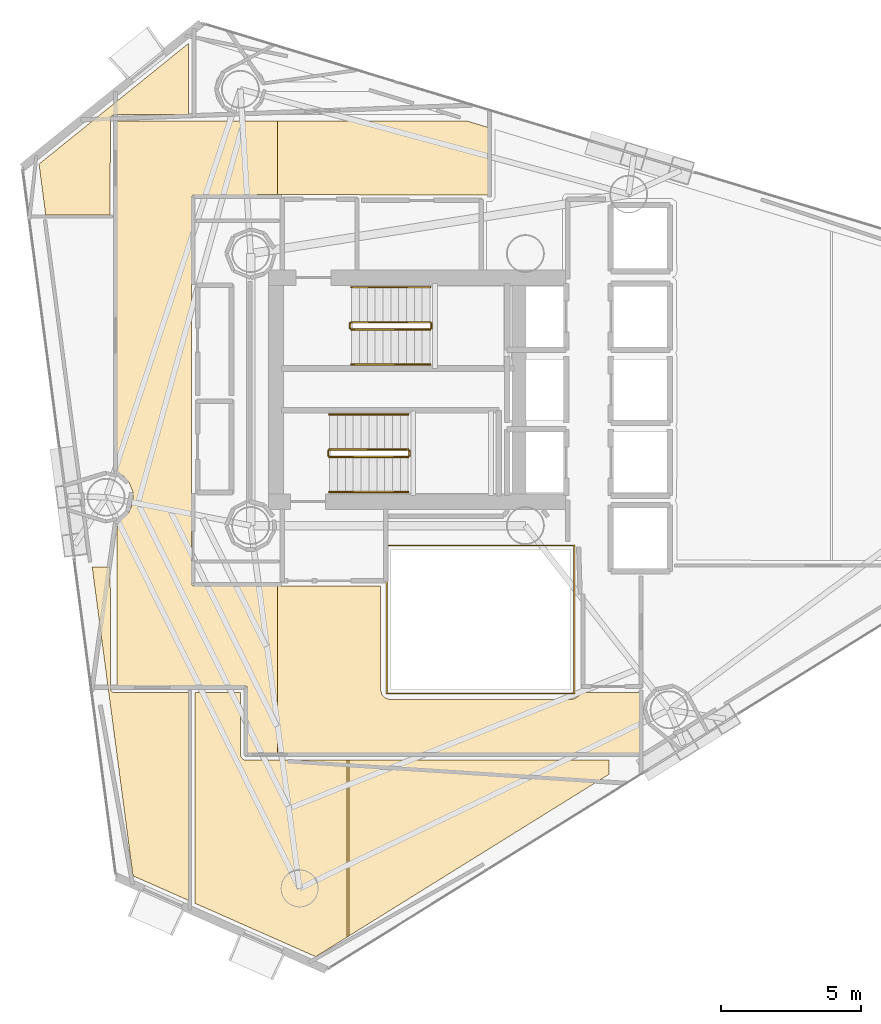
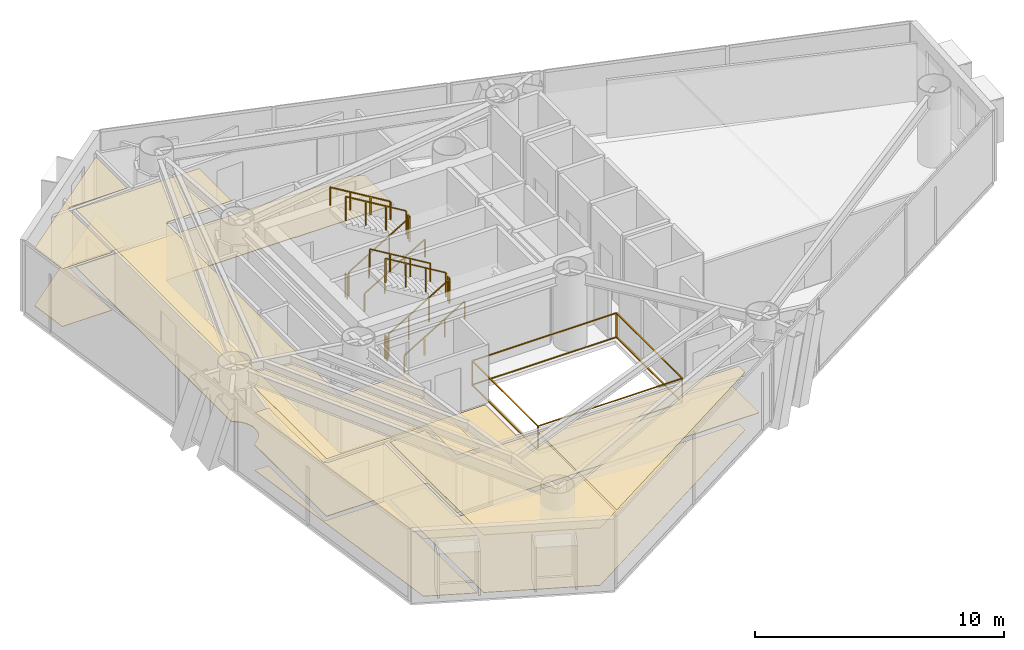
# One storey, part 21 of 22: 13 railings, 9 coverings.
"""IFC4 building model written with IfcOpenShell, lengths in metres."""

from ifc_helpers import new_model, si_unit, direction, frame, origin, origin_2d, place, context, subcontext, project, spatial, polyline, rectangle, outline, extrude, material, layer, layer_set, type_object, element, save


model = new_model("IFC4")

# Units and contexts
model_context = context("Model", 3, precision=1e-05, world=origin(), true_north=direction((0.0, 1.0)))
body_context = subcontext(model_context, "Body", "Model", "MODEL_VIEW")
ifc_project = project(units=[si_unit("LENGTHUNIT", "METRE"), si_unit("AREAUNIT", "SQUARE_METRE"), si_unit("VOLUMEUNIT", "CUBIC_METRE"), si_unit("PLANEANGLEUNIT", "RADIAN"), si_unit("MASSUNIT", "GRAM", prefix="KILO")], contexts=[model_context])

# Site, building, storey
site_placement = place(None, origin())
site = spatial("IfcSite", under=ifc_project, at=site_placement, CompositionType="ELEMENT")
building_placement = place(site_placement, origin())
building = spatial("IfcBuilding", under=site, at=building_placement, Name="Qianvela Tower", CompositionType="ELEMENT")
storey_placement = place(building_placement, frame((0.0, 0.0, 177.199951171875)))
storey = spatial("IfcBuildingStorey", under=building, at=storey_placement, Name="L45", CompositionType="ELEMENT", Elevation=177.199951171875)

# Coverings
ifc_material_1 = material(Name="Perforated Mineral Acoustic Ceiling Tile")
ifc_layer_1 = layer(ifc_material_1, 0.02490234375)
ifc_layer_set_1 = layer_set([ifc_layer_1], Name="Perforated Mineral Acoustic Ceiling Tile")
covering_type_1 = type_object("IfcCoveringType", Name="COV-CEIL-ACOUSTIC-25", PredefinedType="CEILING", material=ifc_layer_set_1)
covering_1_placement = place(storey_placement, frame((0.0, 0.0, 2.81494140625)))
element("IfcCovering", 1, at=covering_1_placement, inside=storey, type_object=covering_type_1, Name="L45 Acoustic Ceiling Bay 1 L45 Floor Corridor", PredefinedType="CEILING", context=body_context, shape_type="SweptSolid", body=[
    extrude(outline(polyline([(24.4033203125, 25.04150390625), (24.40234375, 25.04931640625), (24.400390625, 25.056884765625), (24.397705078125, 25.064208984375), (24.26416015625, 25.386962890625), (24.2607421875, 25.393798828125), (24.256591796875, 25.400634765625), (24.251953125, 25.406982421875), (24.140625, 25.54248046875), (24.135498046875, 25.54833984375), (24.129638671875, 25.5537109375), (23.830078125, 25.799560546875), (23.830078125, 38.27001953125), (29.5517578125, 38.27001953125), (29.5517578125, 35.651123046875), (26.57958984375, 35.639892578125), (26.572021484375, 35.6396484375), (26.564208984375, 35.638427734375), (26.556396484375, 35.636474609375), (26.54931640625, 35.6337890625), (26.5419921875, 35.630615234375), (26.535400390625, 35.62646484375), (26.529052734375, 35.62158203125), (26.523193359375, 35.616455078125), (26.51806640625, 35.610595703125), (26.513427734375, 35.6044921875), (26.509521484375, 35.59765625), (26.506103515625, 35.590576171875), (26.50341796875, 35.583251953125), (26.50146484375, 35.57568359375), (26.50048828125, 35.56787109375), (26.5, 35.56005859375), (26.5, 21.780029296875), (26.50048828125, 21.772216796875), (26.50146484375, 21.764404296875), (26.50341796875, 21.7568359375), (26.506103515625, 21.74951171875), (26.509521484375, 21.7421875), (26.513427734375, 21.735595703125), (26.518310546875, 21.729248046875), (26.5234375, 21.723388671875), (26.529296875, 21.71826171875), (26.53564453125, 21.71337890625), (26.542236328125, 21.70947265625), (26.54931640625, 21.7060546875), (26.556884765625, 21.703369140625), (26.564453125, 21.701416015625), (26.572265625, 21.700439453125), (26.580078125, 21.699951171875), (29.5517578125, 21.699951171875), (29.5517578125, 15.72998046875), (28.47998046875, 15.72998046875), (28.47998046875, 18.050048828125), (28.4794921875, 18.057861328125), (28.478515625, 18.065673828125), (28.4765625, 18.0732421875), (28.473876953125, 18.08056640625), (28.470703125, 18.087646484375), (28.466552734375, 18.094482421875), (28.4619140625, 18.100830078125), (28.45654296875, 18.106689453125), (28.45068359375, 18.11181640625), (28.4443359375, 18.116455078125), (28.437744140625, 18.12060546875), (28.4306640625, 18.123779296875), (28.423095703125, 18.126708984375), (28.41552734375, 18.12841796875), (28.40771484375, 18.129638671875), (28.39990234375, 18.1298828125), (23.830078125, 18.1298828125), (23.830078125, 23.921142578125), (24.244384765625, 24.302978515625), (24.25048828125, 24.30908203125), (24.255859375, 24.31591796875), (24.26025390625, 24.3232421875), (24.26416015625, 24.3310546875), (24.397705078125, 24.65380859375), (24.400390625, 24.6611328125), (24.40234375, 24.668701171875), (24.4033203125, 24.676513671875), (24.40380859375, 24.684326171875), (24.40380859375, 25.03369140625), (24.4033203125, 25.04150390625)])), origin(), (0.0, 0.0, 1.0), 0.025146484375),
])
covering_2_placement = place(storey_placement, frame((0.0, 0.0, 2.81494140625)))
element("IfcCovering", 2, at=covering_2_placement, inside=storey, type_object=covering_type_1, Name="L45 Acoustic Ceiling Debate Lecture Classroom L45-01", PredefinedType="CEILING", context=body_context, shape_type="SweptSolid", body=[
    extrude(outline(polyline([(22.948486328125, 22.3779296875), (23.59033203125, 22.3779296875), (23.608154296875, 17.998779296875), (23.608642578125, 17.99072265625), (23.60986328125, 17.982666015625), (23.612060546875, 17.974853515625), (23.614990234375, 17.967041015625), (23.61865234375, 17.959716796875), (23.622802734375, 17.952880859375), (23.6279296875, 17.946533203125), (23.6337890625, 17.940673828125), (23.639892578125, 17.935302734375), (23.646728515625, 17.930908203125), (23.654052734375, 17.927001953125), (23.7158203125, 17.897705078125), (23.72412109375, 17.894287109375), (23.732421875, 17.891845703125), (23.7412109375, 17.890380859375), (23.75, 17.889892578125), (26.3779296875, 17.889892578125), (26.3779296875, 10.48388671875), (24.4033203125, 11.357666015625), (22.948486328125, 22.3779296875)])), origin(), (0.0, 0.0, 1.0), 0.025146484375),
])
covering_3_placement = place(storey_placement, frame((0.0, 0.0, 2.81494140625)))
element("IfcCovering", 3, at=covering_3_placement, inside=storey, type_object=covering_type_1, Name="L45 Acoustic Ceiling Bay 1 Graduate Seminar Classroom L45-02", PredefinedType="CEILING", context=body_context, shape_type="SweptSolid", body=[
    extrude(outline(polyline([(28.239990234375, 17.889892578125), (28.239990234375, 15.64990234375), (28.240478515625, 15.64208984375), (28.241455078125, 15.634521484375), (28.243408203125, 15.626708984375), (28.24609375, 15.619384765625), (28.24951171875, 15.6123046875), (28.25341796875, 15.605712890625), (28.25830078125, 15.59912109375), (28.322509765625, 15.520751953125), (28.327880859375, 15.514892578125), (28.33349609375, 15.509765625), (28.33984375, 15.5048828125), (28.3466796875, 15.5009765625), (28.353759765625, 15.49755859375), (28.361083984375, 15.4951171875), (28.368896484375, 15.4931640625), (28.37646484375, 15.491943359375), (28.384521484375, 15.491455078125), (32.032958984375, 15.4912109375), (32.032958984375, 9.16650390625), (30.919921875, 8.474365234375), (26.6220703125, 10.3759765625), (26.6220703125, 17.889892578125), (28.239990234375, 17.889892578125)])), origin(), (0.0, 0.0, 1.0), 0.025146484375),
])
covering_4_placement = place(storey_placement, frame((0.0, 0.0, 2.81494140625)))
element("IfcCovering", 4, at=covering_4_placement, inside=storey, type_object=covering_type_1, Name="L45 Acoustic Ceiling Bay 2 Graduate Seminar Classroom L45-02", PredefinedType="CEILING", context=body_context, shape_type="SweptSolid", body=[
    extrude(outline(polyline([(41.3779296875, 15.489990234375), (41.3779296875, 14.97705078125), (32.113037109375, 9.21630859375), (32.113037109375, 15.4912109375), (41.3779296875, 15.489990234375)])), origin(), (0.0, 0.0, 1.0), 0.025146484375),
])
covering_5_placement = place(storey_placement, frame((0.0, 0.0, 2.81494140625)))
element("IfcCovering", 5, at=covering_5_placement, inside=storey, type_object=covering_type_1, Name="L45 Acoustic Ceiling Media Practice Cinema L45-06", PredefinedType="CEILING", context=body_context, shape_type="SweptSolid", body=[
    extrude(outline(polyline([(26.3779296875, 41.04052734375), (26.3779296875, 38.510009765625), (23.75, 38.510009765625), (23.7421875, 38.509521484375), (23.734375, 38.508544921875), (23.726806640625, 38.506591796875), (23.719482421875, 38.50390625), (23.71240234375, 38.50048828125), (23.70556640625, 38.49658203125), (23.631591796875, 38.447021484375), (23.625244140625, 38.4423828125), (23.619384765625, 38.437255859375), (23.6142578125, 38.431396484375), (23.609619140625, 38.425048828125), (23.605712890625, 38.41845703125), (23.602294921875, 38.411376953125), (23.599609375, 38.40380859375), (23.59765625, 38.396240234375), (23.596435546875, 38.388671875), (23.59619140625, 38.380859375), (23.590087890625, 34.922119140625), (21.29248046875, 34.922119140625), (21.05224609375, 36.7421875), (26.3779296875, 41.04052734375)])), origin(), (0.0, 0.0, 1.0), 0.025146484375),
])
ifc_material_2 = material(Name="Engineered Acoustic Oak Timber Flooring", Category="wood")
ifc_layer_2 = layer(ifc_material_2, 0.02001953125)
ifc_layer_set_2 = layer_set([ifc_layer_2], Name="Engineered Acoustic Oak Timber Flooring")
covering_type_2 = type_object("IfcCoveringType", Name="COV-FLOOR-OAK-20", PredefinedType="FLOORING", material=ifc_layer_set_2)
covering_6_placement = place(storey_placement, origin())
element("IfcCovering", 6, at=covering_6_placement, inside=storey, type_object=covering_type_2, Name="L45 Finish Flooring Debate Lecture Classroom L45-01", PredefinedType="FLOORING", context=body_context, shape_type="SweptSolid", body=[
    extrude(outline(polyline([(22.948486328125, 22.3779296875), (23.59033203125, 22.3779296875), (23.608154296875, 17.998779296875), (23.608642578125, 17.99072265625), (23.60986328125, 17.982666015625), (23.612060546875, 17.974853515625), (23.614990234375, 17.967041015625), (23.61865234375, 17.959716796875), (23.622802734375, 17.952880859375), (23.6279296875, 17.946533203125), (23.6337890625, 17.940673828125), (23.639892578125, 17.935302734375), (23.646728515625, 17.930908203125), (23.654052734375, 17.927001953125), (23.7158203125, 17.897705078125), (23.72412109375, 17.894287109375), (23.732421875, 17.891845703125), (23.7412109375, 17.890380859375), (23.75, 17.889892578125), (26.3779296875, 17.889892578125), (26.3779296875, 10.48388671875), (24.4033203125, 11.357666015625), (22.948486328125, 22.3779296875)])), origin(), (0.0, 0.0, 1.0), 0.02001953125),
])
covering_7_placement = place(storey_placement, origin())
element("IfcCovering", 7, at=covering_7_placement, inside=storey, type_object=covering_type_2, Name="L45 Finish Flooring Graduate Seminar Classroom L45-02", PredefinedType="FLOORING", context=body_context, shape_type="SweptSolid", body=[
    extrude(outline(polyline([(26.6220703125, 17.889892578125), (28.239990234375, 17.889892578125), (28.239990234375, 15.64990234375), (28.240478515625, 15.64208984375), (28.241455078125, 15.634521484375), (28.243408203125, 15.626708984375), (28.24609375, 15.619384765625), (28.24951171875, 15.6123046875), (28.25341796875, 15.605712890625), (28.25830078125, 15.59912109375), (28.322509765625, 15.520751953125), (28.327880859375, 15.514892578125), (28.33349609375, 15.509765625), (28.33984375, 15.5048828125), (28.3466796875, 15.5009765625), (28.353759765625, 15.49755859375), (28.361083984375, 15.4951171875), (28.368896484375, 15.4931640625), (28.37646484375, 15.491943359375), (28.384521484375, 15.491455078125), (41.3779296875, 15.489990234375), (41.3779296875, 14.97705078125), (30.919921875, 8.474365234375), (26.6220703125, 10.3759765625), (26.6220703125, 17.889892578125)])), origin(), (0.0, 0.0, 1.0), 0.02001953125),
])
covering_8_placement = place(storey_placement, origin())
element("IfcCovering", 8, at=covering_8_placement, inside=storey, type_object=covering_type_2, Name="L45 Finish Flooring Media Practice Cinema L45-06", PredefinedType="FLOORING", context=body_context, shape_type="SweptSolid", body=[
    extrude(outline(polyline([(26.3779296875, 41.04052734375), (26.3779296875, 38.510009765625), (23.75, 38.510009765625), (23.7421875, 38.509521484375), (23.734375, 38.508544921875), (23.726806640625, 38.506591796875), (23.719482421875, 38.50390625), (23.71240234375, 38.50048828125), (23.70556640625, 38.49658203125), (23.631591796875, 38.447021484375), (23.625244140625, 38.4423828125), (23.619384765625, 38.437255859375), (23.6142578125, 38.431396484375), (23.609619140625, 38.425048828125), (23.605712890625, 38.41845703125), (23.602294921875, 38.411376953125), (23.599609375, 38.40380859375), (23.59765625, 38.396240234375), (23.596435546875, 38.388671875), (23.59619140625, 38.380859375), (23.590087890625, 34.922119140625), (21.29248046875, 34.922119140625), (21.05224609375, 36.7421875), (26.3779296875, 41.04052734375)])), origin(), (0.0, 0.0, 1.0), 0.02001953125),
])
ifc_material_3 = material(Name="Honed Stone Terrazzo Flooring", Category="masonry")
ifc_layer_3 = layer(ifc_material_3, 0.030029296875)
ifc_layer_set_3 = layer_set([ifc_layer_3], Name="Honed Stone Terrazzo Flooring")
covering_type_3 = type_object("IfcCoveringType", Name="COV-FLOOR-TERRAZZO-30", PredefinedType="FLOORING", material=ifc_layer_set_3)
covering_9_placement = place(storey_placement, origin())
element("IfcCovering", 9, at=covering_9_placement, inside=storey, type_object=covering_type_3, Name="L45 Finish Flooring L45 Floor Corridor", PredefinedType="FLOORING", context=body_context, shape_type="SweptSolid", body=[
    extrude(outline(polyline([(24.40380859375, 25.03369140625), (24.4033203125, 25.04150390625), (24.40234375, 25.04931640625), (24.400390625, 25.056884765625), (24.397705078125, 25.064208984375), (24.26416015625, 25.386962890625), (24.2607421875, 25.393798828125), (24.256591796875, 25.400634765625), (24.251953125, 25.406982421875), (24.140625, 25.54248046875), (24.135498046875, 25.54833984375), (24.129638671875, 25.5537109375), (23.830078125, 25.799560546875), (23.830078125, 38.27001953125), (36.341064453125, 38.27001953125), (37.070068359375, 38.049560546875), (37.070068359375, 35.639892578125), (32.5244140625, 35.639892578125), (32.43798828125, 35.659912109375), (32.428955078125, 35.66162109375), (32.419677734375, 35.662109375), (26.57958984375, 35.639892578125), (26.572021484375, 35.6396484375), (26.564208984375, 35.638427734375), (26.556396484375, 35.636474609375), (26.54931640625, 35.6337890625), (26.5419921875, 35.630615234375), (26.535400390625, 35.62646484375), (26.529052734375, 35.62158203125), (26.523193359375, 35.616455078125), (26.51806640625, 35.610595703125), (26.513427734375, 35.6044921875), (26.509521484375, 35.59765625), (26.506103515625, 35.590576171875), (26.50341796875, 35.583251953125), (26.50146484375, 35.57568359375), (26.50048828125, 35.56787109375), (26.5, 35.56005859375), (26.5, 21.780029296875), (26.50048828125, 21.772216796875), (26.50146484375, 21.764404296875), (26.50341796875, 21.7568359375), (26.506103515625, 21.74951171875), (26.509521484375, 21.7421875), (26.513427734375, 21.735595703125), (26.518310546875, 21.729248046875), (26.5234375, 21.723388671875), (26.529296875, 21.71826171875), (26.53564453125, 21.71337890625), (26.542236328125, 21.70947265625), (26.54931640625, 21.7060546875), (26.556884765625, 21.703369140625), (26.564453125, 21.701416015625), (26.572265625, 21.700439453125), (26.580078125, 21.699951171875), (33.239990234375, 21.699951171875), (33.239990234375, 18.0), (33.240478515625, 17.990234375), (33.242431640625, 17.980712890625), (33.275390625, 17.8486328125), (33.277587890625, 17.841064453125), (33.28076171875, 17.833740234375), (33.284423828125, 17.826904296875), (33.288818359375, 17.8203125), (33.293701171875, 17.814208984375), (33.38525390625, 17.71337890625), (33.391357421875, 17.70751953125), (33.398193359375, 17.701904296875), (33.405517578125, 17.697509765625), (33.4130859375, 17.693603515625), (33.421142578125, 17.690673828125), (33.576904296875, 17.643310546875), (33.58447265625, 17.6416015625), (33.59228515625, 17.640380859375), (33.60009765625, 17.639892578125), (40.0, 17.639892578125), (40.006591796875, 17.640380859375), (40.012939453125, 17.64111328125), (40.019287109375, 17.642333984375), (40.1513671875, 17.675537109375), (40.15869140625, 17.677734375), (40.166015625, 17.6806640625), (40.172607421875, 17.68408203125), (40.17919921875, 17.6884765625), (40.45947265625, 17.89306640625), (42.469970703125, 17.899658203125), (42.469970703125, 15.72998046875), (28.47998046875, 15.72998046875), (28.47998046875, 18.050048828125), (28.4794921875, 18.057861328125), (28.478515625, 18.065673828125), (28.4765625, 18.0732421875), (28.473876953125, 18.08056640625), (28.470703125, 18.087646484375), (28.466552734375, 18.094482421875), (28.4619140625, 18.100830078125), (28.45654296875, 18.106689453125), (28.45068359375, 18.11181640625), (28.4443359375, 18.116455078125), (28.437744140625, 18.12060546875), (28.4306640625, 18.123779296875), (28.423095703125, 18.126708984375), (28.41552734375, 18.12841796875), (28.40771484375, 18.129638671875), (28.39990234375, 18.1298828125), (23.830078125, 18.1298828125), (23.830078125, 23.921142578125), (24.244384765625, 24.302978515625), (24.25048828125, 24.30908203125), (24.255859375, 24.31591796875), (24.26025390625, 24.3232421875), (24.26416015625, 24.3310546875), (24.397705078125, 24.65380859375), (24.400390625, 24.6611328125), (24.40234375, 24.668701171875), (24.4033203125, 24.676513671875), (24.40380859375, 24.684326171875), (24.40380859375, 25.03369140625)])), origin(), (0.0, 0.0, 1.0), 0.030029296875),
])

# Railings
ifc_material_4 = material(Name="Laminated Safety Glass and Stainless Steel 316", Category="steel")
railing_type_1 = type_object("IfcRailingType", Name="RL-ATRIUM-GUARD-1250", PredefinedType="GUARDRAIL", material=ifc_material_4)
railing_1_placement = place(storey_placement, frame((33.4599609375, 17.860107421875, 0.0)))
element("IfcRailing", 10, at=railing_1_placement, inside=storey, type_object=railing_type_1, Name="L45 Atrium Edge Guardrail 1", PredefinedType="GUARDRAIL", context=body_context, shape_type="SweptSolid", body=[
    extrude(rectangle(XDim=0.050048828125, YDim=0.0400390625, at=origin_2d()), frame((0.0, 0.0, 1.22998046875), z_axis=(0.0, 1.0, 0.0), x_axis=(-1.0, 0.0, 0.0)), (0.0, 0.0, 1.0), 5.27978515625),
    extrude(rectangle(XDim=0.050048828125, YDim=0.0400390625, at=origin_2d()), frame((0.0, 0.0, 0.050048828125), z_axis=(0.0, 1.0, 0.0), x_axis=(-1.0, 0.0, 0.0)), (0.0, 0.0, 1.0), 5.27978515625),
    extrude(rectangle(XDim=0.050048828125, YDim=0.0400390625, at=origin_2d()), frame((0.0, 5.27978515625, 1.22998046875), z_axis=(1.0, 0.0, 0.0), x_axis=(0.0, 1.0, 0.0)), (0.0, 0.0, 1.0), 6.679931640625),
    extrude(rectangle(XDim=0.050048828125, YDim=0.0400390625, at=origin_2d()), frame((0.0, 5.27978515625, 0.050048828125), z_axis=(1.0, 0.0, 0.0), x_axis=(0.0, 1.0, 0.0)), (0.0, 0.0, 1.0), 6.679931640625),
    extrude(rectangle(XDim=0.050048828125, YDim=0.0400390625, at=origin_2d()), frame((6.679931640625, 5.27978515625, 1.22998046875), z_axis=(0.0, -1.0, 0.0), x_axis=(1.0, 0.0, 0.0)), (0.0, 0.0, 1.0), 5.27978515625),
    extrude(rectangle(XDim=0.050048828125, YDim=0.0400390625, at=origin_2d()), frame((6.679931640625, 5.27978515625, 0.050048828125), z_axis=(0.0, -1.0, 0.0), x_axis=(1.0, 0.0, 0.0)), (0.0, 0.0, 1.0), 5.27978515625),
    extrude(rectangle(XDim=0.050048828125, YDim=0.0400390625, at=origin_2d()), frame((6.679931640625, 0.0, 1.22998046875), z_axis=(-1.0, 0.0, 0.0), x_axis=(0.0, -1.0, 0.0)), (0.0, 0.0, 1.0), 6.679931640625),
    extrude(rectangle(XDim=0.050048828125, YDim=0.0400390625, at=origin_2d()), frame((6.679931640625, 0.0, 0.050048828125), z_axis=(-1.0, 0.0, 0.0), x_axis=(0.0, -1.0, 0.0)), (0.0, 0.0, 1.0), 6.679931640625),
    extrude(rectangle(XDim=0.050048828125, YDim=0.050048828125, at=origin_2d()), origin(), (0.0, 0.0, 1.0), 1.2099609375),
    extrude(rectangle(XDim=0.050048828125, YDim=0.050048828125, at=origin_2d()), frame((0.0, 5.27978515625, 0.0)), (0.0, 0.0, 1.0), 1.2099609375),
    extrude(rectangle(XDim=0.050048828125, YDim=0.050048828125, at=origin_2d()), frame((6.679931640625, 5.27978515625, 0.0)), (0.0, 0.0, 1.0), 1.2099609375),
    extrude(rectangle(XDim=0.050048828125, YDim=0.050048828125, at=origin_2d()), frame((6.679931640625, 0.0, 0.0)), (0.0, 0.0, 1.0), 1.2099609375),
])
ifc_material_5 = material(Name="Painted Tubular Steel Q355B", Category="steel")
railing_type_2 = type_object("IfcRailingType", Name="RL-STAIR-GUARD-1200", PredefinedType="GUARDRAIL", material=ifc_material_5)
railing_2_placement = place(storey_placement, frame((32.199951171875, 30.840087890625, 0.168212890625)))
element("IfcRailing", 11, at=railing_2_placement, inside=storey, type_object=railing_type_2, Name="L45 ST-1 stair guard 1", PredefinedType="GUARDRAIL", context=body_context, shape_type="SweptSolid", body=[
    extrude(rectangle(XDim=0.050048828125, YDim=0.0400390625, at=origin_2d()), frame((0.0, 0.0, 1.179931640625), z_axis=(0.857242210791, 0.0, 0.514913383045), x_axis=(0.0, 1.0, 0.0)), (0.0, 0.0, 1.0), 3.266357421875),
    extrude(rectangle(XDim=0.050048828125, YDim=0.050048828125, at=origin_2d()), origin(), (0.0, 0.0, 1.0), 1.159912109375),
    extrude(rectangle(XDim=0.050048828125, YDim=0.050048828125, at=origin_2d()), frame((0.933349609375, 0.0, 0.560546875)), (0.0, 0.0, 1.0), 1.159912109375),
    extrude(rectangle(XDim=0.050048828125, YDim=0.050048828125, at=origin_2d()), frame((1.86669921875, 0.0, 1.121337890625)), (0.0, 0.0, 1.0), 1.159912109375),
    extrude(rectangle(XDim=0.050048828125, YDim=0.050048828125, at=origin_2d()), frame((2.800048828125, 0.0, 1.681884765625)), (0.0, 0.0, 1.0), 1.159912109375),
])
railing_3_placement = place(storey_placement, frame((35.050048828125, 30.889892578125, 1.85009765625)))
element("IfcRailing", 12, at=railing_3_placement, inside=storey, type_object=railing_type_2, Name="L45 ST-1 stair guard 2", PredefinedType="GUARDRAIL", context=body_context, shape_type="SweptSolid", body=[
    extrude(rectangle(XDim=0.050048828125, YDim=0.0400390625, at=origin_2d()), frame((0.0, 0.0, 1.179931640625), z_axis=(0.0, 1.0, 0.0), x_axis=(-1.0, 0.0, 0.0)), (0.0, 0.0, 1.0), 0.16015625),
    extrude(rectangle(XDim=0.050048828125, YDim=0.050048828125, at=origin_2d()), origin(), (0.0, 0.0, 1.0), 1.159912109375),
    extrude(rectangle(XDim=0.050048828125, YDim=0.050048828125, at=origin_2d()), frame((0.0, 0.16015625, 0.0)), (0.0, 0.0, 1.0), 1.159912109375),
])
railing_4_placement = place(storey_placement, frame((35.0, 31.10009765625, 2.018310546875)))
element("IfcRailing", 13, at=railing_4_placement, inside=storey, type_object=railing_type_2, Name="L45 ST-1 stair guard 3", PredefinedType="GUARDRAIL", context=body_context, shape_type="SweptSolid", body=[
    extrude(rectangle(XDim=0.050048828125, YDim=0.0400390625, at=origin_2d()), frame((0.0, 0.0, 1.179931640625), z_axis=(-0.857275202839, 0.0, 0.514858452973), x_axis=(0.0, -1.0, 0.0)), (0.0, 0.0, 1.0), 3.26611328125),
    extrude(rectangle(XDim=0.050048828125, YDim=0.050048828125, at=origin_2d()), origin(), (0.0, 0.0, 1.0), 1.159912109375),
    extrude(rectangle(XDim=0.050048828125, YDim=0.050048828125, at=origin_2d()), frame((-0.933349609375, 0.0, 0.560546875)), (0.0, 0.0, 1.0), 1.159912109375),
    extrude(rectangle(XDim=0.050048828125, YDim=0.050048828125, at=origin_2d()), frame((-1.86669921875, 0.0, 1.12109375)), (0.0, 0.0, 1.0), 1.159912109375),
    extrude(rectangle(XDim=0.050048828125, YDim=0.050048828125, at=origin_2d()), frame((-2.800048828125, 0.0, 1.681640625)), (0.0, 0.0, 1.0), 1.159912109375),
])
railing_5_placement = place(storey_placement, frame((32.14990234375, 30.889892578125, 0.0)))
element("IfcRailing", 14, at=railing_5_placement, inside=storey, type_object=railing_type_2, Name="L45 ST-1 stair guard 4", PredefinedType="GUARDRAIL", context=body_context, shape_type="SweptSolid", body=[
    extrude(rectangle(XDim=0.050048828125, YDim=0.0400390625, at=origin_2d()), frame((0.0, 0.0, 1.179931640625), z_axis=(0.0, 1.0, 0.0), x_axis=(-1.0, 0.0, 0.0)), (0.0, 0.0, 1.0), 0.16015625),
    extrude(rectangle(XDim=0.050048828125, YDim=0.050048828125, at=origin_2d()), origin(), (0.0, 0.0, 1.0), 1.159912109375),
    extrude(rectangle(XDim=0.050048828125, YDim=0.050048828125, at=origin_2d()), frame((0.0, 0.16015625, 0.0)), (0.0, 0.0, 1.0), 1.159912109375),
])
railing_6_placement = place(storey_placement, frame((31.419921875, 26.300048828125, 0.168212890625)))
element("IfcRailing", 15, at=railing_6_placement, inside=storey, type_object=railing_type_2, Name="L45 ST-2 stair guard 1", PredefinedType="GUARDRAIL", context=body_context, shape_type="SweptSolid", body=[
    extrude(rectangle(XDim=0.050048828125, YDim=0.0400390625, at=origin_2d()), frame((0.0, 0.0, 1.179931640625), z_axis=(0.857242210791, 0.0, 0.514913383045), x_axis=(0.0, 1.0, 0.0)), (0.0, 0.0, 1.0), 3.266357421875),
    extrude(rectangle(XDim=0.050048828125, YDim=0.050048828125, at=origin_2d()), origin(), (0.0, 0.0, 1.0), 1.159912109375),
    extrude(rectangle(XDim=0.050048828125, YDim=0.050048828125, at=origin_2d()), frame((0.933349609375, 0.0, 0.560546875)), (0.0, 0.0, 1.0), 1.159912109375),
    extrude(rectangle(XDim=0.050048828125, YDim=0.050048828125, at=origin_2d()), frame((1.86669921875, 0.0, 1.121337890625)), (0.0, 0.0, 1.0), 1.159912109375),
    extrude(rectangle(XDim=0.050048828125, YDim=0.050048828125, at=origin_2d()), frame((2.800048828125, 0.0, 1.681884765625)), (0.0, 0.0, 1.0), 1.159912109375),
])
railing_7_placement = place(storey_placement, frame((34.27001953125, 26.35009765625, 1.85009765625)))
element("IfcRailing", 16, at=railing_7_placement, inside=storey, type_object=railing_type_2, Name="L45 ST-2 stair guard 2", PredefinedType="GUARDRAIL", context=body_context, shape_type="SweptSolid", body=[
    extrude(rectangle(XDim=0.050048828125, YDim=0.0400390625, at=origin_2d()), frame((0.0, 0.0, 1.179931640625), z_axis=(0.0, 1.0, 0.0), x_axis=(-1.0, 0.0, 0.0)), (0.0, 0.0, 1.0), 0.159912109375),
    extrude(rectangle(XDim=0.050048828125, YDim=0.050048828125, at=origin_2d()), origin(), (0.0, 0.0, 1.0), 1.159912109375),
    extrude(rectangle(XDim=0.050048828125, YDim=0.050048828125, at=origin_2d()), frame((0.0, 0.159912109375, 0.0)), (0.0, 0.0, 1.0), 1.159912109375),
])
railing_8_placement = place(storey_placement, frame((34.219970703125, 26.56005859375, 2.018310546875)))
element("IfcRailing", 17, at=railing_8_placement, inside=storey, type_object=railing_type_2, Name="L45 ST-2 stair guard 3", PredefinedType="GUARDRAIL", context=body_context, shape_type="SweptSolid", body=[
    extrude(rectangle(XDim=0.050048828125, YDim=0.0400390625, at=origin_2d()), frame((0.0, 0.0, 1.179931640625), z_axis=(-0.857275202839, 0.0, 0.514858452973), x_axis=(0.0, -1.0, 0.0)), (0.0, 0.0, 1.0), 3.26611328125),
    extrude(rectangle(XDim=0.050048828125, YDim=0.050048828125, at=origin_2d()), origin(), (0.0, 0.0, 1.0), 1.159912109375),
    extrude(rectangle(XDim=0.050048828125, YDim=0.050048828125, at=origin_2d()), frame((-0.933349609375, 0.0, 0.560546875)), (0.0, 0.0, 1.0), 1.159912109375),
    extrude(rectangle(XDim=0.050048828125, YDim=0.050048828125, at=origin_2d()), frame((-1.86669921875, 0.0, 1.12109375)), (0.0, 0.0, 1.0), 1.159912109375),
    extrude(rectangle(XDim=0.050048828125, YDim=0.050048828125, at=origin_2d()), frame((-2.800048828125, 0.0, 1.681640625)), (0.0, 0.0, 1.0), 1.159912109375),
])
railing_9_placement = place(storey_placement, frame((31.3701171875, 26.35009765625, 0.0)))
element("IfcRailing", 18, at=railing_9_placement, inside=storey, type_object=railing_type_2, Name="L45 ST-2 stair guard 4", PredefinedType="GUARDRAIL", context=body_context, shape_type="SweptSolid", body=[
    extrude(rectangle(XDim=0.050048828125, YDim=0.0400390625, at=origin_2d()), frame((0.0, 0.0, 1.179931640625), z_axis=(0.0, 1.0, 0.0), x_axis=(-1.0, 0.0, 0.0)), (0.0, 0.0, 1.0), 0.159912109375),
    extrude(rectangle(XDim=0.050048828125, YDim=0.050048828125, at=origin_2d()), origin(), (0.0, 0.0, 1.0), 1.159912109375),
    extrude(rectangle(XDim=0.050048828125, YDim=0.050048828125, at=origin_2d()), frame((0.0, 0.159912109375, 0.0)), (0.0, 0.0, 1.0), 1.159912109375),
])
ifc_material_6 = material(Name="Brushed Stainless Steel 304", Category="steel")
railing_type_3 = type_object("IfcRailingType", Name="RL-STAIR-HANDRAIL-900", PredefinedType="HANDRAIL", material=ifc_material_6)
railing_10_placement = place(storey_placement, frame((32.199951171875, 29.590087890625, 0.168212890625)))
element("IfcRailing", 19, at=railing_10_placement, inside=storey, type_object=railing_type_3, Name="L45 ST-1 stair handrail 1", PredefinedType="HANDRAIL", context=body_context, shape_type="SweptSolid", body=[
    extrude(rectangle(XDim=0.050048828125, YDim=0.0400390625, at=origin_2d()), frame((0.0, 0.0, 0.8798828125), z_axis=(0.857242210791, 0.0, 0.514913383045), x_axis=(0.0, 1.0, 0.0)), (0.0, 0.0, 1.0), 3.266357421875),
    extrude(rectangle(XDim=0.050048828125, YDim=0.050048828125, at=origin_2d()), origin(), (0.0, 0.0, 1.0), 0.85986328125),
    extrude(rectangle(XDim=0.050048828125, YDim=0.050048828125, at=origin_2d()), frame((0.933349609375, 0.0, 0.560546875)), (0.0, 0.0, 1.0), 0.85986328125),
    extrude(rectangle(XDim=0.050048828125, YDim=0.050048828125, at=origin_2d()), frame((1.86669921875, 0.0, 1.121337890625)), (0.0, 0.0, 1.0), 0.85986328125),
    extrude(rectangle(XDim=0.050048828125, YDim=0.050048828125, at=origin_2d()), frame((2.800048828125, 0.0, 1.681884765625)), (0.0, 0.0, 1.0), 0.85986328125),
])
railing_11_placement = place(storey_placement, frame((35.0, 32.35009765625, 2.018310546875)))
element("IfcRailing", 20, at=railing_11_placement, inside=storey, type_object=railing_type_3, Name="L45 ST-1 stair handrail 2", PredefinedType="HANDRAIL", context=body_context, shape_type="SweptSolid", body=[
    extrude(rectangle(XDim=0.050048828125, YDim=0.0400390625, at=origin_2d()), frame((0.0, 0.0, 0.8798828125), z_axis=(-0.857275202839, 0.0, 0.514858452973), x_axis=(0.0, -1.0, 0.0)), (0.0, 0.0, 1.0), 3.26611328125),
    extrude(rectangle(XDim=0.050048828125, YDim=0.050048828125, at=origin_2d()), origin(), (0.0, 0.0, 1.0), 0.85986328125),
    extrude(rectangle(XDim=0.050048828125, YDim=0.050048828125, at=origin_2d()), frame((-0.933349609375, 0.0, 0.560546875)), (0.0, 0.0, 1.0), 0.85986328125),
    extrude(rectangle(XDim=0.050048828125, YDim=0.050048828125, at=origin_2d()), frame((-1.86669921875, 0.0, 1.12109375)), (0.0, 0.0, 1.0), 0.85986328125),
    extrude(rectangle(XDim=0.050048828125, YDim=0.050048828125, at=origin_2d()), frame((-2.800048828125, 0.0, 1.681640625)), (0.0, 0.0, 1.0), 0.85986328125),
])
railing_12_placement = place(storey_placement, frame((31.419921875, 25.050048828125, 0.168212890625)))
element("IfcRailing", 21, at=railing_12_placement, inside=storey, type_object=railing_type_3, Name="L45 ST-2 stair handrail 1", PredefinedType="HANDRAIL", context=body_context, shape_type="SweptSolid", body=[
    extrude(rectangle(XDim=0.050048828125, YDim=0.0400390625, at=origin_2d()), frame((0.0, 0.0, 0.8798828125), z_axis=(0.857242210791, 0.0, 0.514913383045), x_axis=(0.0, 1.0, 0.0)), (0.0, 0.0, 1.0), 3.266357421875),
    extrude(rectangle(XDim=0.050048828125, YDim=0.050048828125, at=origin_2d()), origin(), (0.0, 0.0, 1.0), 0.85986328125),
    extrude(rectangle(XDim=0.050048828125, YDim=0.050048828125, at=origin_2d()), frame((0.933349609375, 0.0, 0.560546875)), (0.0, 0.0, 1.0), 0.85986328125),
    extrude(rectangle(XDim=0.050048828125, YDim=0.050048828125, at=origin_2d()), frame((1.86669921875, 0.0, 1.121337890625)), (0.0, 0.0, 1.0), 0.85986328125),
    extrude(rectangle(XDim=0.050048828125, YDim=0.050048828125, at=origin_2d()), frame((2.800048828125, 0.0, 1.681884765625)), (0.0, 0.0, 1.0), 0.85986328125),
])
railing_13_placement = place(storey_placement, frame((34.219970703125, 27.81005859375, 2.018310546875)))
element("IfcRailing", 22, at=railing_13_placement, inside=storey, type_object=railing_type_3, Name="L45 ST-2 stair handrail 2", PredefinedType="HANDRAIL", context=body_context, shape_type="SweptSolid", body=[
    extrude(rectangle(XDim=0.050048828125, YDim=0.0400390625, at=origin_2d()), frame((0.0, 0.0, 0.8798828125), z_axis=(-0.857275202839, 0.0, 0.514858452973), x_axis=(0.0, -1.0, 0.0)), (0.0, 0.0, 1.0), 3.26611328125),
    extrude(rectangle(XDim=0.050048828125, YDim=0.050048828125, at=origin_2d()), origin(), (0.0, 0.0, 1.0), 0.85986328125),
    extrude(rectangle(XDim=0.050048828125, YDim=0.050048828125, at=origin_2d()), frame((-0.933349609375, 0.0, 0.560546875)), (0.0, 0.0, 1.0), 0.85986328125),
    extrude(rectangle(XDim=0.050048828125, YDim=0.050048828125, at=origin_2d()), frame((-1.86669921875, 0.0, 1.12109375)), (0.0, 0.0, 1.0), 0.85986328125),
    extrude(rectangle(XDim=0.050048828125, YDim=0.050048828125, at=origin_2d()), frame((-2.800048828125, 0.0, 1.681640625)), (0.0, 0.0, 1.0), 0.85986328125),
])

save(model, "model.ifc")
